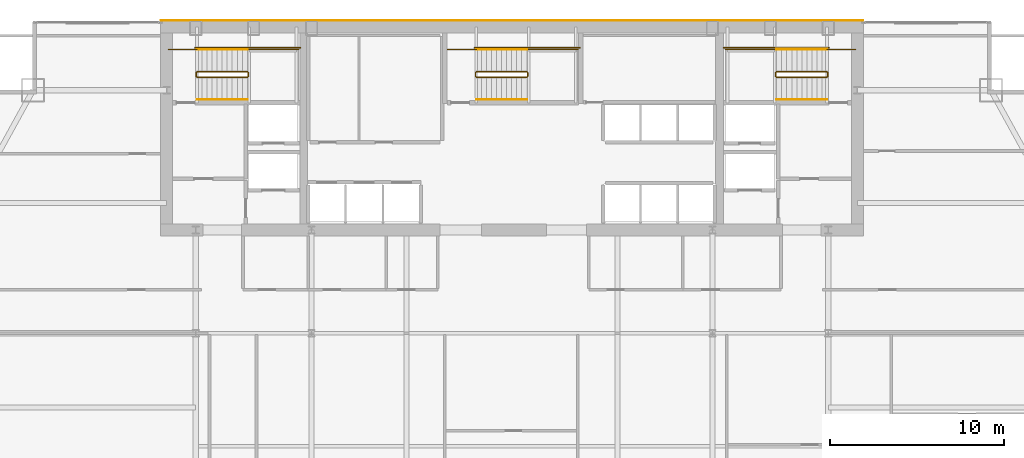
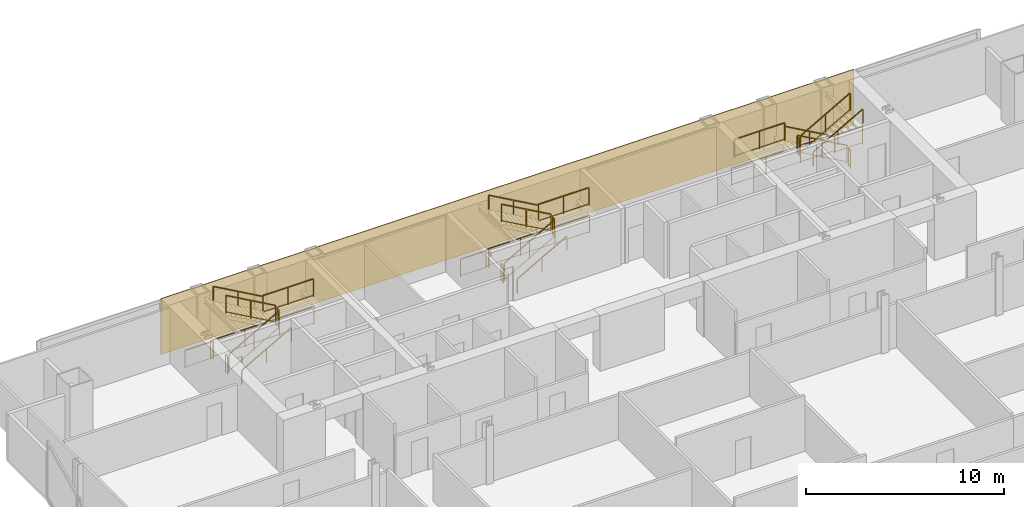
# One storey, part 29 of 29: 27 railings, 1 covering.
"""IFC4 building model written with IfcOpenShell, lengths in metres."""

from ifc_helpers import new_model, si_unit, direction, frame, origin, origin_2d, place, context, subcontext, project, spatial, polyline, rectangle, outline, extrude, material, layer, layer_set, type_object, element, save


model = new_model("IFC4")

# Units and contexts
model_context = context("Model", 3, precision=1e-05, world=origin(), true_north=direction((0.0, 1.0)))
body_context = subcontext(model_context, "Body", "Model", "MODEL_VIEW")
ifc_project = project(units=[si_unit("LENGTHUNIT", "METRE"), si_unit("AREAUNIT", "SQUARE_METRE"), si_unit("VOLUMEUNIT", "CUBIC_METRE"), si_unit("PLANEANGLEUNIT", "RADIAN"), si_unit("MASSUNIT", "GRAM", prefix="KILO")], contexts=[model_context])

# Site, building, storey
site_placement = place(None, origin())
site = spatial("IfcSite", under=ifc_project, at=site_placement, CompositionType="ELEMENT")
building_placement = place(site_placement, origin())
building = spatial("IfcBuilding", under=site, at=building_placement, Name="Khoronbel Lancet Exchange", CompositionType="ELEMENT")
storey_placement = place(building_placement, frame((0.0, 0.0, 161.39990234375)))
storey = spatial("IfcBuildingStorey", under=building, at=storey_placement, Name="L40", CompositionType="ELEMENT", Elevation=161.39990234375)

# Covering
ifc_material_1 = material(Name="Honed Egyptian Limestone & Bronze Rainscreen", Category="masonry")
ifc_layer = layer(ifc_material_1, 0.050048828125, Name="Honed Egyptian Limestone & Bronze Rainscreen")
ifc_layer_set = layer_set([ifc_layer], Name="Honed Egyptian Limestone & Bronze Rainscreen")
covering_type = type_object("IfcCoveringType", Name="COV-CLAD1", PredefinedType="CLADDING", material=ifc_layer_set)
covering_placement = place(storey_placement, origin())
element("IfcCovering", 1, at=covering_placement, inside=storey, type_object=covering_type, Name="Level L40 north rear-core stone and bronze rainscreen cladding", PredefinedType="CLADDING", context=body_context, shape_type="SweptSolid", body=[
    extrude(outline(polyline([(16.199951171875, 53.699951171875), (56.699951171875, 53.699951171875), (56.699951171875, 53.75), (16.199951171875, 53.75), (16.199951171875, 53.699951171875)])), origin(), (0.0, 0.0, 1.0), 3.440185546875),
])

# Railings
ifc_material_2 = material(Name="Painted Steel Balustrade", Category="steel")
railing_type_1 = type_object("IfcRailingType", Name="RL-STG110", PredefinedType="GUARDRAIL", material=ifc_material_2)
railing_1_placement = place(storey_placement, frame((18.300048828125, 50.449951171875, 0.163818359375)))
element("IfcRailing", 2, at=railing_1_placement, inside=storey, type_object=railing_type_1, Name="L40 ST1 stair guard 1", PredefinedType="GUARDRAIL", context=body_context, shape_type="SweptSolid", body=[
    extrude(rectangle(XDim=0.048095703125, YDim=0.048095703125, at=origin_2d()), frame((0.0, 0.0, 1.09619140625), z_axis=(0.870928581787, 0.0, 0.491409610636), x_axis=(0.0, 1.0, 0.0)), (0.0, 0.0, 1.0), 3.32958984375),
    extrude(rectangle(XDim=0.02392578125, YDim=0.02392578125, at=origin_2d()), frame((0.0, 0.0, 0.080078125), z_axis=(0.870928581787, 0.0, 0.491409610636), x_axis=(0.0, 1.0, 0.0)), (0.0, 0.0, 1.0), 3.32958984375),
    extrude(rectangle(XDim=0.0419921875, YDim=0.0419921875, at=origin_2d()), origin(), (0.0, 0.0, 1.0), 1.072021484375),
    extrude(rectangle(XDim=0.0419921875, YDim=0.0419921875, at=origin_2d()), frame((1.449951171875, 0.0, 0.818115234375)), (0.0, 0.0, 1.0), 1.072021484375),
    extrude(rectangle(XDim=0.0419921875, YDim=0.0419921875, at=origin_2d()), frame((2.89990234375, 0.0, 1.63623046875)), (0.0, 0.0, 1.0), 1.072021484375),
])
railing_2_placement = place(storey_placement, frame((21.25, 50.5, 1.800048828125)))
element("IfcRailing", 3, at=railing_2_placement, inside=storey, type_object=railing_type_1, Name="L40 ST1 stair guard 2", PredefinedType="GUARDRAIL", context=body_context, shape_type="SweptSolid", body=[
    extrude(rectangle(XDim=0.048095703125, YDim=0.048095703125, at=origin_2d()), frame((0.0, 0.0, 1.09619140625), z_axis=(0.0, 1.0, 0.0), x_axis=(-1.0, 0.0, 0.0)), (0.0, 0.0, 1.0), 0.219970703125),
    extrude(rectangle(XDim=0.02392578125, YDim=0.02392578125, at=origin_2d()), frame((0.0, 0.0, 0.080078125), z_axis=(0.0, 1.0, 0.0), x_axis=(-1.0, 0.0, 0.0)), (0.0, 0.0, 1.0), 0.219970703125),
    extrude(rectangle(XDim=0.0419921875, YDim=0.0419921875, at=origin_2d()), origin(), (0.0, 0.0, 1.0), 1.072021484375),
    extrude(rectangle(XDim=0.0419921875, YDim=0.0419921875, at=origin_2d()), frame((0.0, 0.219970703125, 0.0)), (0.0, 0.0, 1.0), 1.072021484375),
])
railing_3_placement = place(storey_placement, frame((21.199951171875, 52.050048828125, 1.800048828125)))
element("IfcRailing", 4, at=railing_3_placement, inside=storey, type_object=railing_type_1, Name="L40 ST1 stair guard 3", PredefinedType="GUARDRAIL", context=body_context, shape_type="SweptSolid", body=[
    extrude(rectangle(XDim=0.048095703125, YDim=0.048095703125, at=origin_2d()), frame((0.0, 0.0, 1.09619140625), z_axis=(1.0, 0.0, 0.0), x_axis=(0.0, 1.0, 0.0)), (0.0, 0.0, 1.0), 2.949951171875),
    extrude(rectangle(XDim=0.02392578125, YDim=0.02392578125, at=origin_2d()), frame((0.0, 0.0, 0.080078125), z_axis=(1.0, 0.0, 0.0), x_axis=(0.0, 1.0, 0.0)), (0.0, 0.0, 1.0), 2.949951171875),
    extrude(rectangle(XDim=0.0419921875, YDim=0.0419921875, at=origin_2d()), origin(), (0.0, 0.0, 1.0), 1.072021484375),
    extrude(rectangle(XDim=0.0419921875, YDim=0.0419921875, at=origin_2d()), frame((1.47509765625, 0.0, 0.0)), (0.0, 0.0, 1.0), 1.072021484375),
    extrude(rectangle(XDim=0.0419921875, YDim=0.0419921875, at=origin_2d()), frame((2.949951171875, 0.0, 0.0)), (0.0, 0.0, 1.0), 1.072021484375),
])
railing_4_placement = place(storey_placement, frame((21.199951171875, 50.77001953125, 1.963623046875)))
element("IfcRailing", 5, at=railing_4_placement, inside=storey, type_object=railing_type_1, Name="L40 ST1 stair guard 4", PredefinedType="GUARDRAIL", context=body_context, shape_type="SweptSolid", body=[
    extrude(rectangle(XDim=0.048095703125, YDim=0.048095703125, at=origin_2d()), frame((0.0, 0.0, 1.09619140625), z_axis=(-0.870897200241, 0.0, 0.491465224214), x_axis=(0.0, -1.0, 0.0)), (0.0, 0.0, 1.0), 3.329833984375),
    extrude(rectangle(XDim=0.02392578125, YDim=0.02392578125, at=origin_2d()), frame((0.0, 0.0, 0.080078125), z_axis=(-0.870897200241, 0.0, 0.491465224214), x_axis=(0.0, -1.0, 0.0)), (0.0, 0.0, 1.0), 3.329833984375),
    extrude(rectangle(XDim=0.0419921875, YDim=0.0419921875, at=origin_2d()), origin(), (0.0, 0.0, 1.0), 1.072021484375),
    extrude(rectangle(XDim=0.0419921875, YDim=0.0419921875, at=origin_2d()), frame((-1.449951171875, 0.0, 0.818359375)), (0.0, 0.0, 1.0), 1.072021484375),
    extrude(rectangle(XDim=0.0419921875, YDim=0.0419921875, at=origin_2d()), frame((-2.89990234375, 0.0, 1.636474609375)), (0.0, 0.0, 1.0), 1.072021484375),
])
railing_5_placement = place(storey_placement, frame((18.25, 50.5, 0.0)))
element("IfcRailing", 6, at=railing_5_placement, inside=storey, type_object=railing_type_1, Name="L40 ST1 stair guard 5", PredefinedType="GUARDRAIL", context=body_context, shape_type="SweptSolid", body=[
    extrude(rectangle(XDim=0.048095703125, YDim=0.048095703125, at=origin_2d()), frame((0.0, 0.0, 1.09619140625), z_axis=(0.0, 1.0, 0.0), x_axis=(-1.0, 0.0, 0.0)), (0.0, 0.0, 1.0), 0.219970703125),
    extrude(rectangle(XDim=0.02392578125, YDim=0.02392578125, at=origin_2d()), frame((0.0, 0.0, 0.080078125), z_axis=(0.0, 1.0, 0.0), x_axis=(-1.0, 0.0, 0.0)), (0.0, 0.0, 1.0), 0.219970703125),
    extrude(rectangle(XDim=0.0419921875, YDim=0.0419921875, at=origin_2d()), origin(), (0.0, 0.0, 1.0), 1.072021484375),
    extrude(rectangle(XDim=0.0419921875, YDim=0.0419921875, at=origin_2d()), frame((0.0, 0.219970703125, 0.0)), (0.0, 0.0, 1.0), 1.072021484375),
])
railing_6_placement = place(storey_placement, frame((16.64990234375, 52.050048828125, 0.0)))
element("IfcRailing", 7, at=railing_6_placement, inside=storey, type_object=railing_type_1, Name="L40 ST1 stair guard 6", PredefinedType="GUARDRAIL", context=body_context, shape_type="SweptSolid", body=[
    extrude(rectangle(XDim=0.048095703125, YDim=0.048095703125, at=origin_2d()), frame((0.0, 0.0, 1.09619140625), z_axis=(1.0, 0.0, 0.0), x_axis=(0.0, 1.0, 0.0)), (0.0, 0.0, 1.0), 1.650146484375),
    extrude(rectangle(XDim=0.02392578125, YDim=0.02392578125, at=origin_2d()), frame((0.0, 0.0, 0.080078125), z_axis=(1.0, 0.0, 0.0), x_axis=(0.0, 1.0, 0.0)), (0.0, 0.0, 1.0), 1.650146484375),
    extrude(rectangle(XDim=0.0419921875, YDim=0.0419921875, at=origin_2d()), origin(), (0.0, 0.0, 1.0), 1.072021484375),
    extrude(rectangle(XDim=0.0419921875, YDim=0.0419921875, at=origin_2d()), frame((1.650146484375, 0.0, 0.0)), (0.0, 0.0, 1.0), 1.072021484375),
])
railing_7_placement = place(storey_placement, frame((18.199951171875, 52.14990234375, 0.0)))
element("IfcRailing", 8, at=railing_7_placement, inside=storey, type_object=railing_type_1, Name="L40 ST1 stair guard 7", PredefinedType="GUARDRAIL", context=body_context, shape_type="SweptSolid", body=[
    extrude(rectangle(XDim=0.048095703125, YDim=0.048095703125, at=origin_2d()), frame((0.0, 0.0, 1.09619140625), z_axis=(1.0, 0.0, 0.0), x_axis=(0.0, 1.0, 0.0)), (0.0, 0.0, 1.0), 6.050048828125),
    extrude(rectangle(XDim=0.02392578125, YDim=0.02392578125, at=origin_2d()), frame((0.0, 0.0, 0.080078125), z_axis=(1.0, 0.0, 0.0), x_axis=(0.0, 1.0, 0.0)), (0.0, 0.0, 1.0), 6.050048828125),
    extrude(rectangle(XDim=0.0419921875, YDim=0.0419921875, at=origin_2d()), origin(), (0.0, 0.0, 1.0), 1.072021484375),
    extrude(rectangle(XDim=0.0419921875, YDim=0.0419921875, at=origin_2d()), frame((2.0166015625, 0.0, 0.0)), (0.0, 0.0, 1.0), 1.072021484375),
    extrude(rectangle(XDim=0.0419921875, YDim=0.0419921875, at=origin_2d()), frame((4.033447265625, 0.0, 0.0)), (0.0, 0.0, 1.0), 1.072021484375),
    extrude(rectangle(XDim=0.0419921875, YDim=0.0419921875, at=origin_2d()), frame((6.050048828125, 0.0, 0.0)), (0.0, 0.0, 1.0), 1.072021484375),
])
railing_8_placement = place(storey_placement, frame((54.60009765625, 50.77001953125, 0.163818359375)))
element("IfcRailing", 9, at=railing_8_placement, inside=storey, type_object=railing_type_1, Name="L40 ST2 stair guard 1", PredefinedType="GUARDRAIL", context=body_context, shape_type="SweptSolid", body=[
    extrude(rectangle(XDim=0.048095703125, YDim=0.048095703125, at=origin_2d()), frame((0.0, 0.0, 1.09619140625), z_axis=(-0.870946286338, 0.0, 0.49137823142), x_axis=(0.0, -1.0, 0.0)), (0.0, 0.0, 1.0), 3.329833984375),
    extrude(rectangle(XDim=0.02392578125, YDim=0.02392578125, at=origin_2d()), frame((0.0, 0.0, 0.080078125), z_axis=(-0.870946286338, 0.0, 0.49137823142), x_axis=(0.0, -1.0, 0.0)), (0.0, 0.0, 1.0), 3.329833984375),
    extrude(rectangle(XDim=0.0419921875, YDim=0.0419921875, at=origin_2d()), origin(), (0.0, 0.0, 1.0), 1.072021484375),
    extrude(rectangle(XDim=0.0419921875, YDim=0.0419921875, at=origin_2d()), frame((-1.4501953125, 0.0, 0.818115234375)), (0.0, 0.0, 1.0), 1.072021484375),
    extrude(rectangle(XDim=0.0419921875, YDim=0.0419921875, at=origin_2d()), frame((-2.900146484375, 0.0, 1.63623046875)), (0.0, 0.0, 1.0), 1.072021484375),
])
railing_9_placement = place(storey_placement, frame((51.64990234375, 50.719970703125, 1.800048828125)))
element("IfcRailing", 10, at=railing_9_placement, inside=storey, type_object=railing_type_1, Name="L40 ST2 stair guard 2", PredefinedType="GUARDRAIL", context=body_context, shape_type="SweptSolid", body=[
    extrude(rectangle(XDim=0.048095703125, YDim=0.048095703125, at=origin_2d()), frame((0.0, 0.0, 1.09619140625), z_axis=(0.0, -1.0, 0.0), x_axis=(1.0, 0.0, 0.0)), (0.0, 0.0, 1.0), 0.219970703125),
    extrude(rectangle(XDim=0.02392578125, YDim=0.02392578125, at=origin_2d()), frame((0.0, 0.0, 0.080078125), z_axis=(0.0, -1.0, 0.0), x_axis=(1.0, 0.0, 0.0)), (0.0, 0.0, 1.0), 0.219970703125),
    extrude(rectangle(XDim=0.0419921875, YDim=0.0419921875, at=origin_2d()), origin(), (0.0, 0.0, 1.0), 1.072021484375),
    extrude(rectangle(XDim=0.0419921875, YDim=0.0419921875, at=origin_2d()), frame((0.0, -0.219970703125, 0.0)), (0.0, 0.0, 1.0), 1.072021484375),
])
railing_10_placement = place(storey_placement, frame((51.699951171875, 52.050048828125, 1.800048828125)))
element("IfcRailing", 11, at=railing_10_placement, inside=storey, type_object=railing_type_1, Name="L40 ST2 stair guard 3", PredefinedType="GUARDRAIL", context=body_context, shape_type="SweptSolid", body=[
    extrude(rectangle(XDim=0.048095703125, YDim=0.048095703125, at=origin_2d()), frame((0.0, 0.0, 1.09619140625), z_axis=(-1.0, 0.0, 0.0), x_axis=(0.0, -1.0, 0.0)), (0.0, 0.0, 1.0), 2.949951171875),
    extrude(rectangle(XDim=0.02392578125, YDim=0.02392578125, at=origin_2d()), frame((0.0, 0.0, 0.080078125), z_axis=(-1.0, 0.0, 0.0), x_axis=(0.0, -1.0, 0.0)), (0.0, 0.0, 1.0), 2.949951171875),
    extrude(rectangle(XDim=0.0419921875, YDim=0.0419921875, at=origin_2d()), origin(), (0.0, 0.0, 1.0), 1.072021484375),
    extrude(rectangle(XDim=0.0419921875, YDim=0.0419921875, at=origin_2d()), frame((-1.47509765625, 0.0, 0.0)), (0.0, 0.0, 1.0), 1.072021484375),
    extrude(rectangle(XDim=0.0419921875, YDim=0.0419921875, at=origin_2d()), frame((-2.949951171875, 0.0, 0.0)), (0.0, 0.0, 1.0), 1.072021484375),
])
railing_11_placement = place(storey_placement, frame((51.699951171875, 50.449951171875, 1.963623046875)))
element("IfcRailing", 12, at=railing_11_placement, inside=storey, type_object=railing_type_1, Name="L40 ST2 stair guard 4", PredefinedType="GUARDRAIL", context=body_context, shape_type="SweptSolid", body=[
    extrude(rectangle(XDim=0.048095703125, YDim=0.048095703125, at=origin_2d()), frame((0.0, 0.0, 1.09619140625), z_axis=(0.870914908162, 0.0, 0.491433843708), x_axis=(0.0, 1.0, 0.0)), (0.0, 0.0, 1.0), 3.330078125),
    extrude(rectangle(XDim=0.02392578125, YDim=0.02392578125, at=origin_2d()), frame((0.0, 0.0, 0.080078125), z_axis=(0.870914908162, 0.0, 0.491433843708), x_axis=(0.0, 1.0, 0.0)), (0.0, 0.0, 1.0), 3.330078125),
    extrude(rectangle(XDim=0.0419921875, YDim=0.0419921875, at=origin_2d()), origin(), (0.0, 0.0, 1.0), 1.072021484375),
    extrude(rectangle(XDim=0.0419921875, YDim=0.0419921875, at=origin_2d()), frame((1.4501953125, 0.0, 0.818359375)), (0.0, 0.0, 1.0), 1.072021484375),
    extrude(rectangle(XDim=0.0419921875, YDim=0.0419921875, at=origin_2d()), frame((2.900146484375, 0.0, 1.636474609375)), (0.0, 0.0, 1.0), 1.072021484375),
])
railing_12_placement = place(storey_placement, frame((54.64990234375, 50.719970703125, 0.0)))
element("IfcRailing", 13, at=railing_12_placement, inside=storey, type_object=railing_type_1, Name="L40 ST2 stair guard 5", PredefinedType="GUARDRAIL", context=body_context, shape_type="SweptSolid", body=[
    extrude(rectangle(XDim=0.048095703125, YDim=0.048095703125, at=origin_2d()), frame((0.0, 0.0, 1.09619140625), z_axis=(0.0, -1.0, 0.0), x_axis=(1.0, 0.0, 0.0)), (0.0, 0.0, 1.0), 0.219970703125),
    extrude(rectangle(XDim=0.02392578125, YDim=0.02392578125, at=origin_2d()), frame((0.0, 0.0, 0.080078125), z_axis=(0.0, -1.0, 0.0), x_axis=(1.0, 0.0, 0.0)), (0.0, 0.0, 1.0), 0.219970703125),
    extrude(rectangle(XDim=0.0419921875, YDim=0.0419921875, at=origin_2d()), origin(), (0.0, 0.0, 1.0), 1.072021484375),
    extrude(rectangle(XDim=0.0419921875, YDim=0.0419921875, at=origin_2d()), frame((0.0, -0.219970703125, 0.0)), (0.0, 0.0, 1.0), 1.072021484375),
])
railing_13_placement = place(storey_placement, frame((56.25, 52.050048828125, 0.0)))
element("IfcRailing", 14, at=railing_13_placement, inside=storey, type_object=railing_type_1, Name="L40 ST2 stair guard 6", PredefinedType="GUARDRAIL", context=body_context, shape_type="SweptSolid", body=[
    extrude(rectangle(XDim=0.048095703125, YDim=0.048095703125, at=origin_2d()), frame((0.0, 0.0, 1.09619140625), z_axis=(-1.0, 0.0, 0.0), x_axis=(0.0, -1.0, 0.0)), (0.0, 0.0, 1.0), 1.64990234375),
    extrude(rectangle(XDim=0.02392578125, YDim=0.02392578125, at=origin_2d()), frame((0.0, 0.0, 0.080078125), z_axis=(-1.0, 0.0, 0.0), x_axis=(0.0, -1.0, 0.0)), (0.0, 0.0, 1.0), 1.64990234375),
    extrude(rectangle(XDim=0.0419921875, YDim=0.0419921875, at=origin_2d()), origin(), (0.0, 0.0, 1.0), 1.072021484375),
    extrude(rectangle(XDim=0.0419921875, YDim=0.0419921875, at=origin_2d()), frame((-1.64990234375, 0.0, 0.0)), (0.0, 0.0, 1.0), 1.072021484375),
])
railing_14_placement = place(storey_placement, frame((54.699951171875, 52.14990234375, 0.0)))
element("IfcRailing", 15, at=railing_14_placement, inside=storey, type_object=railing_type_1, Name="L40 ST2 stair guard 7", PredefinedType="GUARDRAIL", context=body_context, shape_type="SweptSolid", body=[
    extrude(rectangle(XDim=0.048095703125, YDim=0.048095703125, at=origin_2d()), frame((0.0, 0.0, 1.09619140625), z_axis=(-1.0, 0.0, 0.0), x_axis=(0.0, -1.0, 0.0)), (0.0, 0.0, 1.0), 6.050048828125),
    extrude(rectangle(XDim=0.02392578125, YDim=0.02392578125, at=origin_2d()), frame((0.0, 0.0, 0.080078125), z_axis=(-1.0, 0.0, 0.0), x_axis=(0.0, -1.0, 0.0)), (0.0, 0.0, 1.0), 6.050048828125),
    extrude(rectangle(XDim=0.0419921875, YDim=0.0419921875, at=origin_2d()), origin(), (0.0, 0.0, 1.0), 1.072021484375),
    extrude(rectangle(XDim=0.0419921875, YDim=0.0419921875, at=origin_2d()), frame((-2.0166015625, 0.0, 0.0)), (0.0, 0.0, 1.0), 1.072021484375),
    extrude(rectangle(XDim=0.0419921875, YDim=0.0419921875, at=origin_2d()), frame((-4.033447265625, 0.0, 0.0)), (0.0, 0.0, 1.0), 1.072021484375),
    extrude(rectangle(XDim=0.0419921875, YDim=0.0419921875, at=origin_2d()), frame((-6.050048828125, 0.0, 0.0)), (0.0, 0.0, 1.0), 1.072021484375),
])
railing_15_placement = place(storey_placement, frame((34.39990234375, 50.449951171875, 0.163818359375)))
element("IfcRailing", 16, at=railing_15_placement, inside=storey, type_object=railing_type_1, Name="L40 ST3 stair guard 1", PredefinedType="GUARDRAIL", context=body_context, shape_type="SweptSolid", body=[
    extrude(rectangle(XDim=0.048095703125, YDim=0.048095703125, at=origin_2d()), frame((0.0, 0.0, 1.09619140625), z_axis=(0.870946286338, 0.0, 0.49137823142), x_axis=(0.0, 1.0, 0.0)), (0.0, 0.0, 1.0), 3.329833984375),
    extrude(rectangle(XDim=0.02392578125, YDim=0.02392578125, at=origin_2d()), frame((0.0, 0.0, 0.080078125), z_axis=(0.870946286338, 0.0, 0.49137823142), x_axis=(0.0, 1.0, 0.0)), (0.0, 0.0, 1.0), 3.329833984375),
    extrude(rectangle(XDim=0.0419921875, YDim=0.0419921875, at=origin_2d()), origin(), (0.0, 0.0, 1.0), 1.072021484375),
    extrude(rectangle(XDim=0.0419921875, YDim=0.0419921875, at=origin_2d()), frame((1.4501953125, 0.0, 0.818115234375)), (0.0, 0.0, 1.0), 1.072021484375),
    extrude(rectangle(XDim=0.0419921875, YDim=0.0419921875, at=origin_2d()), frame((2.900146484375, 0.0, 1.63623046875)), (0.0, 0.0, 1.0), 1.072021484375),
])
railing_16_placement = place(storey_placement, frame((37.35009765625, 50.5, 1.800048828125)))
element("IfcRailing", 17, at=railing_16_placement, inside=storey, type_object=railing_type_1, Name="L40 ST3 stair guard 2", PredefinedType="GUARDRAIL", context=body_context, shape_type="SweptSolid", body=[
    extrude(rectangle(XDim=0.048095703125, YDim=0.048095703125, at=origin_2d()), frame((0.0, 0.0, 1.09619140625), z_axis=(0.0, 1.0, 0.0), x_axis=(-1.0, 0.0, 0.0)), (0.0, 0.0, 1.0), 0.219970703125),
    extrude(rectangle(XDim=0.02392578125, YDim=0.02392578125, at=origin_2d()), frame((0.0, 0.0, 0.080078125), z_axis=(0.0, 1.0, 0.0), x_axis=(-1.0, 0.0, 0.0)), (0.0, 0.0, 1.0), 0.219970703125),
    extrude(rectangle(XDim=0.0419921875, YDim=0.0419921875, at=origin_2d()), origin(), (0.0, 0.0, 1.0), 1.072021484375),
    extrude(rectangle(XDim=0.0419921875, YDim=0.0419921875, at=origin_2d()), frame((0.0, 0.219970703125, 0.0)), (0.0, 0.0, 1.0), 1.072021484375),
])
railing_17_placement = place(storey_placement, frame((37.300048828125, 52.050048828125, 1.800048828125)))
element("IfcRailing", 18, at=railing_17_placement, inside=storey, type_object=railing_type_1, Name="L40 ST3 stair guard 3", PredefinedType="GUARDRAIL", context=body_context, shape_type="SweptSolid", body=[
    extrude(rectangle(XDim=0.048095703125, YDim=0.048095703125, at=origin_2d()), frame((0.0, 0.0, 1.09619140625), z_axis=(1.0, 0.0, 0.0), x_axis=(0.0, 1.0, 0.0)), (0.0, 0.0, 1.0), 2.949951171875),
    extrude(rectangle(XDim=0.02392578125, YDim=0.02392578125, at=origin_2d()), frame((0.0, 0.0, 0.080078125), z_axis=(1.0, 0.0, 0.0), x_axis=(0.0, 1.0, 0.0)), (0.0, 0.0, 1.0), 2.949951171875),
    extrude(rectangle(XDim=0.0419921875, YDim=0.0419921875, at=origin_2d()), origin(), (0.0, 0.0, 1.0), 1.072021484375),
    extrude(rectangle(XDim=0.0419921875, YDim=0.0419921875, at=origin_2d()), frame((1.47509765625, 0.0, 0.0)), (0.0, 0.0, 1.0), 1.072021484375),
    extrude(rectangle(XDim=0.0419921875, YDim=0.0419921875, at=origin_2d()), frame((2.949951171875, 0.0, 0.0)), (0.0, 0.0, 1.0), 1.072021484375),
])
railing_18_placement = place(storey_placement, frame((37.300048828125, 50.77001953125, 1.963623046875)))
element("IfcRailing", 19, at=railing_18_placement, inside=storey, type_object=railing_type_1, Name="L40 ST3 stair guard 4", PredefinedType="GUARDRAIL", context=body_context, shape_type="SweptSolid", body=[
    extrude(rectangle(XDim=0.048095703125, YDim=0.048095703125, at=origin_2d()), frame((0.0, 0.0, 1.09619140625), z_axis=(-0.870914908162, 0.0, 0.491433843708), x_axis=(0.0, -1.0, 0.0)), (0.0, 0.0, 1.0), 3.330078125),
    extrude(rectangle(XDim=0.02392578125, YDim=0.02392578125, at=origin_2d()), frame((0.0, 0.0, 0.080078125), z_axis=(-0.870914908162, 0.0, 0.491433843708), x_axis=(0.0, -1.0, 0.0)), (0.0, 0.0, 1.0), 3.330078125),
    extrude(rectangle(XDim=0.0419921875, YDim=0.0419921875, at=origin_2d()), origin(), (0.0, 0.0, 1.0), 1.072021484375),
    extrude(rectangle(XDim=0.0419921875, YDim=0.0419921875, at=origin_2d()), frame((-1.4501953125, 0.0, 0.818359375)), (0.0, 0.0, 1.0), 1.072021484375),
    extrude(rectangle(XDim=0.0419921875, YDim=0.0419921875, at=origin_2d()), frame((-2.900146484375, 0.0, 1.636474609375)), (0.0, 0.0, 1.0), 1.072021484375),
])
railing_19_placement = place(storey_placement, frame((34.35009765625, 50.5, 0.0)))
element("IfcRailing", 20, at=railing_19_placement, inside=storey, type_object=railing_type_1, Name="L40 ST3 stair guard 5", PredefinedType="GUARDRAIL", context=body_context, shape_type="SweptSolid", body=[
    extrude(rectangle(XDim=0.048095703125, YDim=0.048095703125, at=origin_2d()), frame((0.0, 0.0, 1.09619140625), z_axis=(0.0, 1.0, 0.0), x_axis=(-1.0, 0.0, 0.0)), (0.0, 0.0, 1.0), 0.219970703125),
    extrude(rectangle(XDim=0.02392578125, YDim=0.02392578125, at=origin_2d()), frame((0.0, 0.0, 0.080078125), z_axis=(0.0, 1.0, 0.0), x_axis=(-1.0, 0.0, 0.0)), (0.0, 0.0, 1.0), 0.219970703125),
    extrude(rectangle(XDim=0.0419921875, YDim=0.0419921875, at=origin_2d()), origin(), (0.0, 0.0, 1.0), 1.072021484375),
    extrude(rectangle(XDim=0.0419921875, YDim=0.0419921875, at=origin_2d()), frame((0.0, 0.219970703125, 0.0)), (0.0, 0.0, 1.0), 1.072021484375),
])
railing_20_placement = place(storey_placement, frame((32.75, 52.050048828125, 0.0)))
element("IfcRailing", 21, at=railing_20_placement, inside=storey, type_object=railing_type_1, Name="L40 ST3 stair guard 6", PredefinedType="GUARDRAIL", context=body_context, shape_type="SweptSolid", body=[
    extrude(rectangle(XDim=0.048095703125, YDim=0.048095703125, at=origin_2d()), frame((0.0, 0.0, 1.09619140625), z_axis=(1.0, 0.0, 0.0), x_axis=(0.0, 1.0, 0.0)), (0.0, 0.0, 1.0), 1.64990234375),
    extrude(rectangle(XDim=0.02392578125, YDim=0.02392578125, at=origin_2d()), frame((0.0, 0.0, 0.080078125), z_axis=(1.0, 0.0, 0.0), x_axis=(0.0, 1.0, 0.0)), (0.0, 0.0, 1.0), 1.64990234375),
    extrude(rectangle(XDim=0.0419921875, YDim=0.0419921875, at=origin_2d()), origin(), (0.0, 0.0, 1.0), 1.072021484375),
    extrude(rectangle(XDim=0.0419921875, YDim=0.0419921875, at=origin_2d()), frame((1.64990234375, 0.0, 0.0)), (0.0, 0.0, 1.0), 1.072021484375),
])
railing_21_placement = place(storey_placement, frame((34.300048828125, 52.14990234375, 0.0)))
element("IfcRailing", 22, at=railing_21_placement, inside=storey, type_object=railing_type_1, Name="L40 ST3 stair guard 7", PredefinedType="GUARDRAIL", context=body_context, shape_type="SweptSolid", body=[
    extrude(rectangle(XDim=0.048095703125, YDim=0.048095703125, at=origin_2d()), frame((0.0, 0.0, 1.09619140625), z_axis=(1.0, 0.0, 0.0), x_axis=(0.0, 1.0, 0.0)), (0.0, 0.0, 1.0), 6.050048828125),
    extrude(rectangle(XDim=0.02392578125, YDim=0.02392578125, at=origin_2d()), frame((0.0, 0.0, 0.080078125), z_axis=(1.0, 0.0, 0.0), x_axis=(0.0, 1.0, 0.0)), (0.0, 0.0, 1.0), 6.050048828125),
    extrude(rectangle(XDim=0.0419921875, YDim=0.0419921875, at=origin_2d()), origin(), (0.0, 0.0, 1.0), 1.072021484375),
    extrude(rectangle(XDim=0.0419921875, YDim=0.0419921875, at=origin_2d()), frame((2.0166015625, 0.0, 0.0)), (0.0, 0.0, 1.0), 1.072021484375),
    extrude(rectangle(XDim=0.0419921875, YDim=0.0419921875, at=origin_2d()), frame((4.033447265625, 0.0, 0.0)), (0.0, 0.0, 1.0), 1.072021484375),
    extrude(rectangle(XDim=0.0419921875, YDim=0.0419921875, at=origin_2d()), frame((6.050048828125, 0.0, 0.0)), (0.0, 0.0, 1.0), 1.072021484375),
])
ifc_material_3 = material(Name="Brushed Stainless Steel 316", Category="steel")
railing_type_2 = type_object("IfcRailingType", Name="RL-STH92", PredefinedType="HANDRAIL", material=ifc_material_3)
railing_22_placement = place(storey_placement, frame((18.300048828125, 49.169921875, 0.163818359375)))
element("IfcRailing", 23, at=railing_22_placement, inside=storey, type_object=railing_type_2, Name="L40 ST1 stair handrail 1", PredefinedType="HANDRAIL", context=body_context, shape_type="SweptSolid", body=[
    extrude(rectangle(XDim=0.048095703125, YDim=0.048095703125, at=origin_2d()), frame((0.0, 0.0, 0.8759765625), z_axis=(0.870928581787, 0.0, 0.491409610636), x_axis=(0.0, 1.0, 0.0)), (0.0, 0.0, 1.0), 3.32958984375),
    extrude(rectangle(XDim=0.0419921875, YDim=0.0419921875, at=origin_2d()), origin(), (0.0, 0.0, 1.0), 0.851806640625),
    extrude(rectangle(XDim=0.0419921875, YDim=0.0419921875, at=origin_2d()), frame((1.449951171875, 0.0, 0.818115234375)), (0.0, 0.0, 1.0), 0.851806640625),
    extrude(rectangle(XDim=0.0419921875, YDim=0.0419921875, at=origin_2d()), frame((2.89990234375, 0.0, 1.63623046875)), (0.0, 0.0, 1.0), 0.851806640625),
])
railing_23_placement = place(storey_placement, frame((21.199951171875, 52.050048828125, 1.963623046875)))
element("IfcRailing", 24, at=railing_23_placement, inside=storey, type_object=railing_type_2, Name="L40 ST1 stair handrail 2", PredefinedType="HANDRAIL", context=body_context, shape_type="SweptSolid", body=[
    extrude(rectangle(XDim=0.048095703125, YDim=0.048095703125, at=origin_2d()), frame((0.0, 0.0, 0.8759765625), z_axis=(-0.870897200241, 0.0, 0.491465224214), x_axis=(0.0, -1.0, 0.0)), (0.0, 0.0, 1.0), 3.329833984375),
    extrude(rectangle(XDim=0.0419921875, YDim=0.0419921875, at=origin_2d()), origin(), (0.0, 0.0, 1.0), 0.851806640625),
    extrude(rectangle(XDim=0.0419921875, YDim=0.0419921875, at=origin_2d()), frame((-1.449951171875, 0.0, 0.818359375)), (0.0, 0.0, 1.0), 0.851806640625),
    extrude(rectangle(XDim=0.0419921875, YDim=0.0419921875, at=origin_2d()), frame((-2.89990234375, 0.0, 1.636474609375)), (0.0, 0.0, 1.0), 0.851806640625),
])
railing_24_placement = place(storey_placement, frame((54.60009765625, 52.050048828125, 0.163818359375)))
element("IfcRailing", 25, at=railing_24_placement, inside=storey, type_object=railing_type_2, Name="L40 ST2 stair handrail 1", PredefinedType="HANDRAIL", context=body_context, shape_type="SweptSolid", body=[
    extrude(rectangle(XDim=0.048095703125, YDim=0.048095703125, at=origin_2d()), frame((0.0, 0.0, 0.8759765625), z_axis=(-0.870946286338, 0.0, 0.49137823142), x_axis=(0.0, -1.0, 0.0)), (0.0, 0.0, 1.0), 3.329833984375),
    extrude(rectangle(XDim=0.0419921875, YDim=0.0419921875, at=origin_2d()), origin(), (0.0, 0.0, 1.0), 0.851806640625),
    extrude(rectangle(XDim=0.0419921875, YDim=0.0419921875, at=origin_2d()), frame((-1.4501953125, 0.0, 0.818115234375)), (0.0, 0.0, 1.0), 0.851806640625),
    extrude(rectangle(XDim=0.0419921875, YDim=0.0419921875, at=origin_2d()), frame((-2.900146484375, 0.0, 1.63623046875)), (0.0, 0.0, 1.0), 0.851806640625),
])
railing_25_placement = place(storey_placement, frame((51.699951171875, 49.169921875, 1.963623046875)))
element("IfcRailing", 26, at=railing_25_placement, inside=storey, type_object=railing_type_2, Name="L40 ST2 stair handrail 2", PredefinedType="HANDRAIL", context=body_context, shape_type="SweptSolid", body=[
    extrude(rectangle(XDim=0.048095703125, YDim=0.048095703125, at=origin_2d()), frame((0.0, 0.0, 0.8759765625), z_axis=(0.870914908162, 0.0, 0.491433843708), x_axis=(0.0, 1.0, 0.0)), (0.0, 0.0, 1.0), 3.330078125),
    extrude(rectangle(XDim=0.0419921875, YDim=0.0419921875, at=origin_2d()), origin(), (0.0, 0.0, 1.0), 0.851806640625),
    extrude(rectangle(XDim=0.0419921875, YDim=0.0419921875, at=origin_2d()), frame((1.4501953125, 0.0, 0.818359375)), (0.0, 0.0, 1.0), 0.851806640625),
    extrude(rectangle(XDim=0.0419921875, YDim=0.0419921875, at=origin_2d()), frame((2.900146484375, 0.0, 1.636474609375)), (0.0, 0.0, 1.0), 0.851806640625),
])
railing_26_placement = place(storey_placement, frame((34.39990234375, 49.169921875, 0.163818359375)))
element("IfcRailing", 27, at=railing_26_placement, inside=storey, type_object=railing_type_2, Name="L40 ST3 stair handrail 1", PredefinedType="HANDRAIL", context=body_context, shape_type="SweptSolid", body=[
    extrude(rectangle(XDim=0.048095703125, YDim=0.048095703125, at=origin_2d()), frame((0.0, 0.0, 0.8759765625), z_axis=(0.870946286338, 0.0, 0.49137823142), x_axis=(0.0, 1.0, 0.0)), (0.0, 0.0, 1.0), 3.329833984375),
    extrude(rectangle(XDim=0.0419921875, YDim=0.0419921875, at=origin_2d()), origin(), (0.0, 0.0, 1.0), 0.851806640625),
    extrude(rectangle(XDim=0.0419921875, YDim=0.0419921875, at=origin_2d()), frame((1.4501953125, 0.0, 0.818115234375)), (0.0, 0.0, 1.0), 0.851806640625),
    extrude(rectangle(XDim=0.0419921875, YDim=0.0419921875, at=origin_2d()), frame((2.900146484375, 0.0, 1.63623046875)), (0.0, 0.0, 1.0), 0.851806640625),
])
railing_27_placement = place(storey_placement, frame((37.300048828125, 52.050048828125, 1.963623046875)))
element("IfcRailing", 28, at=railing_27_placement, inside=storey, type_object=railing_type_2, Name="L40 ST3 stair handrail 2", PredefinedType="HANDRAIL", context=body_context, shape_type="SweptSolid", body=[
    extrude(rectangle(XDim=0.048095703125, YDim=0.048095703125, at=origin_2d()), frame((0.0, 0.0, 0.8759765625), z_axis=(-0.870914908162, 0.0, 0.491433843708), x_axis=(0.0, -1.0, 0.0)), (0.0, 0.0, 1.0), 3.330078125),
    extrude(rectangle(XDim=0.0419921875, YDim=0.0419921875, at=origin_2d()), origin(), (0.0, 0.0, 1.0), 0.851806640625),
    extrude(rectangle(XDim=0.0419921875, YDim=0.0419921875, at=origin_2d()), frame((-1.4501953125, 0.0, 0.818359375)), (0.0, 0.0, 1.0), 0.851806640625),
    extrude(rectangle(XDim=0.0419921875, YDim=0.0419921875, at=origin_2d()), frame((-2.900146484375, 0.0, 1.636474609375)), (0.0, 0.0, 1.0), 0.851806640625),
])

save(model, "model.ifc")
